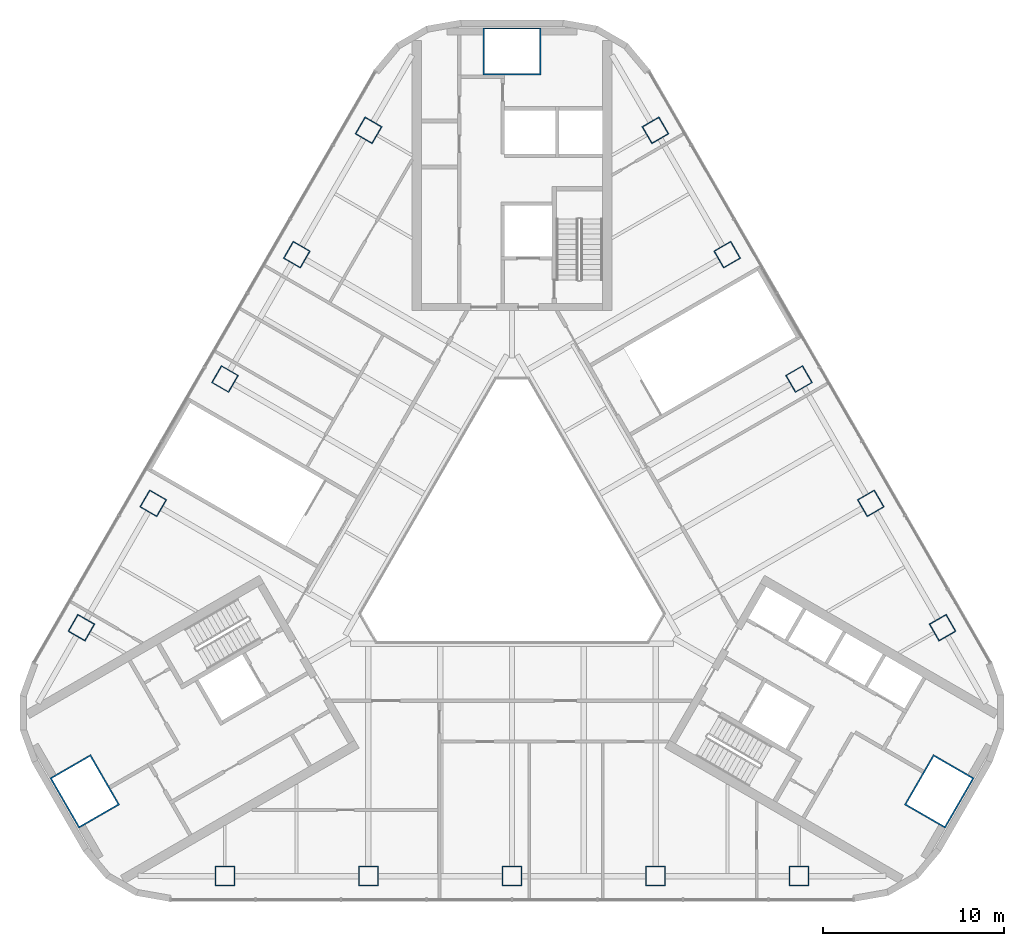
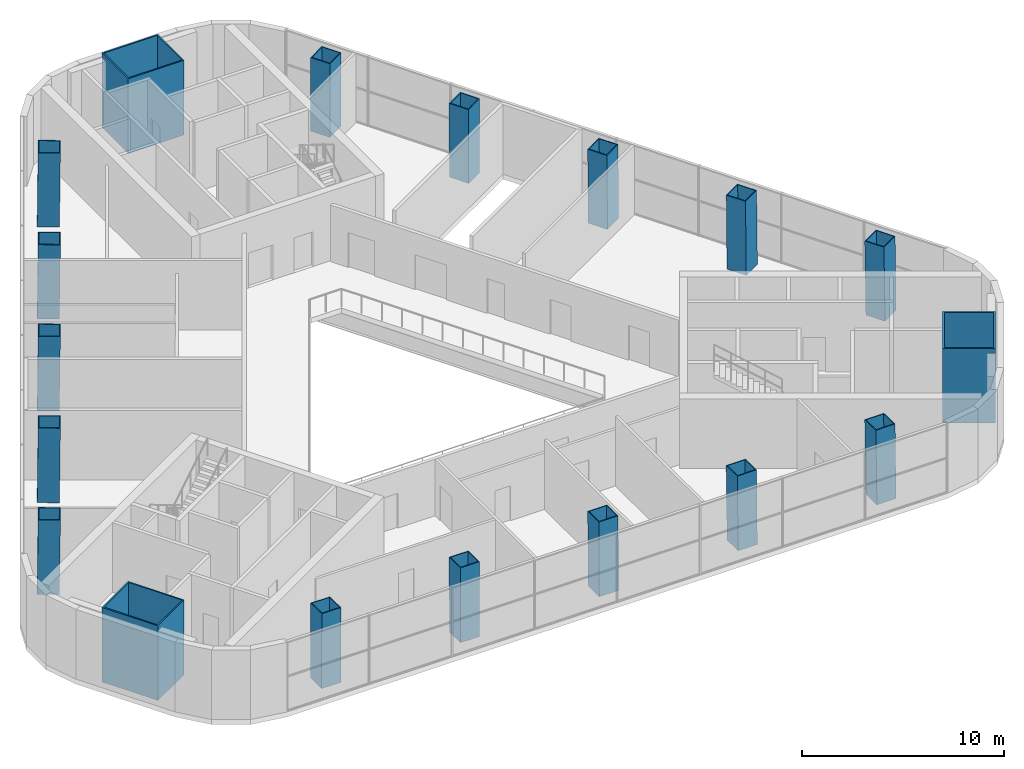
# One storey, part 1 of 12: 18 columns.
"""IFC4 building model written with IfcOpenShell, lengths in metres."""

from ifc_helpers import new_model, si_unit, direction, frame, origin, origin_2d, place, context, subcontext, project, spatial, rectangle, hollow_rectangle, extrude, boolean, halfspace, material, material_profile, profile_set, type_object, element, save


model = new_model("IFC4")

# Units and contexts
model_context = context("Model", 3, precision=1e-05, world=origin(), true_north=direction((0.0, 1.0)))
body_context = subcontext(model_context, "Body", "Model", "MODEL_VIEW")
ifc_project = project(units=[si_unit("LENGTHUNIT", "METRE"), si_unit("AREAUNIT", "SQUARE_METRE"), si_unit("VOLUMEUNIT", "CUBIC_METRE"), si_unit("PLANEANGLEUNIT", "RADIAN"), si_unit("MASSUNIT", "GRAM", prefix="KILO")], contexts=[model_context])

# Site, building, storey
site_placement = place(None, origin())
site = spatial("IfcSite", under=ifc_project, at=site_placement, CompositionType="ELEMENT")
building_placement = place(site_placement, origin())
building = spatial("IfcBuilding", under=site, at=building_placement, Name="Apuvela Tower Hotel", CompositionType="ELEMENT")
storey_placement = place(building_placement, frame((0.0, 0.0, 33.0)))
storey = spatial("IfcBuildingStorey", under=building, at=storey_placement, Name="L05", CompositionType="ELEMENT", Elevation=33.0)

# Columns
ifc_material_1 = material(Name="Steel S460", Category="steel")
ifc_material_profile_1 = material_profile(ifc_material_1, hollow_rectangle(XDim=3.199951171875, YDim=2.60009765625, WallThickness=0.080078125, at=origin_2d()), Name="BOX 3200x2600x80")
ifc_material_2 = material(Name="Concrete C80/95", Category="concrete")
ifc_material_profile_2 = material_profile(ifc_material_2, rectangle(XDim=3.0400390625, YDim=2.43994140625, at=origin_2d()), Name="Concrete C80/95 infill")
ifc_profile_set_1 = profile_set([ifc_material_profile_1, ifc_material_profile_2], Name="Steel S460")
column_type_1 = type_object("IfcColumnType", Name="STR-MC mega column BOX 3200x2600x80", PredefinedType="COLUMN", material=ifc_profile_set_1)
for number, where, z_axis, x_axis, name in (
    (1, (0.0, 27.199951171875, 0.0), (0.0, 0.0, 1.0), (1.0, 0.0, 0.0), "Mega column MC1 N"),
    (2, (-23.555908203125, -13.60009765625, 0.0), (0.0, 0.0, 1.0), (-0.5, 0.866025403784, 0.0), "Mega column MC1 SW"),
    (3, (23.555908203125, -13.60009765625, 0.0), (0.0, 0.0, 1.0), (0.5, 0.866025403784, 0.0), "Mega column MC1 SE"),
):
    element("IfcColumn", number, at=place(storey_placement, frame(where, z_axis=z_axis, x_axis=x_axis)), inside=storey, type_object=column_type_1, Name=name, PredefinedType="COLUMN", context=body_context, shape_type="SweptSolid", body=[
        extrude(hollow_rectangle(XDim=3.199951171875, YDim=2.60009765625, WallThickness=0.080078125, at=origin_2d()), origin(), (0.0, 0.0, 1.0), 4.5),
    ])
ifc_material_profile_3 = material_profile(ifc_material_1, hollow_rectangle(XDim=1.10009765625, YDim=1.10009765625, WallThickness=0.050048828125, at=origin_2d()), Name="BOX 1100x1100x50")
ifc_material_profile_4 = material_profile(ifc_material_2, rectangle(XDim=1.0, YDim=1.0, at=origin_2d()), Name="Concrete C80/95 infill")
ifc_profile_set_2 = profile_set([ifc_material_profile_3, ifc_material_profile_4], Name="Steel S460")
column_type_2 = type_object("IfcColumnType", Name="STR-PC perimeter column BOX 1100x1100x50", PredefinedType="COLUMN", material=ifc_profile_set_2)
column_1_placement = place(storey_placement, frame((-15.837158203125, -18.276123046875, 0.0), z_axis=(0.008245813936, 0.010253018645, 0.999913437334), x_axis=(-0.999965935277, -0.000282647683, 0.008249145105)))
element("IfcColumn", 4, at=column_1_placement, inside=storey, type_object=column_type_2, Name="Perimeter column C1 S1", PredefinedType="COLUMN", context=body_context, shape_type="SweptSolid", body=[
    boolean("DIFFERENCE", boolean("DIFFERENCE", extrude(hollow_rectangle(XDim=1.10009765625, YDim=1.10009765625, WallThickness=0.050048828125, at=origin_2d()), origin(), (0.0, 0.0, 1.0), 4.50048828125), halfspace(frame((0.0, 0.0, 0.01220703125), z_axis=(0.0, 0.0, 1.0), x_axis=(1.0, 0.0, 0.0)), True)), halfspace(frame((0.0, 0.0, 4.493408203125), z_axis=(0.0, 0.0, 1.0), x_axis=(1.0, 0.0, 0.0)), False)),
])
column_2_placement = place(storey_placement, frame((-7.91845703125, -18.276123046875, 0.0), z_axis=(0.004123012096, 0.010253280081, 0.999938933645), x_axis=(-0.999991272744, 0.000716936113, 0.004115876508)))
element("IfcColumn", 5, at=column_2_placement, inside=storey, type_object=column_type_2, Name="Perimeter column C1 S2", PredefinedType="COLUMN", context=body_context, shape_type="SweptSolid", body=[
    boolean("DIFFERENCE", boolean("DIFFERENCE", extrude(hollow_rectangle(XDim=1.10009765625, YDim=1.10009765625, WallThickness=0.050048828125, at=origin_2d()), origin(), (0.0, 0.0, 1.0), 4.500244140625), halfspace(frame((0.0, 0.0, 0.010498046875), z_axis=(0.0, 0.0, 1.0), x_axis=(1.0, 0.0, 0.0)), True)), halfspace(frame((0.0, 0.0, 4.493896484375), z_axis=(0.0, 0.0, 1.0), x_axis=(1.0, 0.0, 0.0)), False)),
])
column_3_placement = place(storey_placement, frame((0.0, -18.276123046875, 0.0), z_axis=(0.0, 0.010253367231, 0.999947432849), x_axis=(-1.0, 0.0, 0.0)))
element("IfcColumn", 6, at=column_3_placement, inside=storey, type_object=column_type_2, Name="Perimeter column C1 S3", PredefinedType="COLUMN", context=body_context, shape_type="SweptSolid", body=[
    boolean("DIFFERENCE", boolean("DIFFERENCE", extrude(hollow_rectangle(XDim=1.10009765625, YDim=1.10009765625, WallThickness=0.050048828125, at=origin_2d()), origin(), (0.0, 0.0, 1.0), 4.500244140625), halfspace(frame((0.0, 0.0, 0.010009765625), z_axis=(0.0, 0.0, 1.0), x_axis=(1.0, 0.0, 0.0)), True)), halfspace(frame((0.0, 0.0, 4.494140625), z_axis=(0.0, 0.0, 1.0), x_axis=(1.0, 0.0, 0.0)), False)),
])
column_4_placement = place(storey_placement, frame((7.91845703125, -18.276123046875, 0.0), z_axis=(-0.004123012096, 0.010253280081, 0.999938933645), x_axis=(0.999991272744, 0.000716936113, 0.004115876508)))
element("IfcColumn", 7, at=column_4_placement, inside=storey, type_object=column_type_2, Name="Perimeter column C1 S4", PredefinedType="COLUMN", context=body_context, shape_type="SweptSolid", body=[
    boolean("DIFFERENCE", boolean("DIFFERENCE", extrude(hollow_rectangle(XDim=1.10009765625, YDim=1.10009765625, WallThickness=0.050048828125, at=origin_2d()), origin(), (0.0, 0.0, 1.0), 4.500244140625), halfspace(frame((0.0, 0.0, 0.010498046875), z_axis=(0.0, 0.0, 1.0), x_axis=(1.0, 0.0, 0.0)), True)), halfspace(frame((0.0, 0.0, 4.493896484375), z_axis=(0.0, 0.0, 1.0), x_axis=(1.0, 0.0, 0.0)), False)),
])
for number, where, z_axis, x_axis, name in (
    (8, (15.837158203125, -18.276123046875, 0.0), (-0.008245813936, 0.010253018645, 0.999913437334), (0.999965935277, -0.000282647683, 0.008249145105), "Perimeter column C1 S5"),
    (9, (23.74609375, -4.577392578125, 0.0), (-0.01301970202, 0.00206145282, 0.999913115111), (0.497599356322, -0.867367587298, 0.008267351011), "Perimeter column C1 NE1"),
):
    element("IfcColumn", number, at=place(storey_placement, frame(where, z_axis=z_axis, x_axis=x_axis)), inside=storey, type_object=column_type_2, Name=name, PredefinedType="COLUMN", context=body_context, shape_type="SweptSolid", body=[
        boolean("DIFFERENCE", boolean("DIFFERENCE", extrude(hollow_rectangle(XDim=1.10009765625, YDim=1.10009765625, WallThickness=0.050048828125, at=origin_2d()), origin(), (0.0, 0.0, 1.0), 4.50048828125), halfspace(frame((0.0, 0.0, 0.01220703125), z_axis=(0.0, 0.0, 1.0), x_axis=(1.0, 0.0, 0.0)), True)), halfspace(frame((0.0, 0.0, 4.493408203125), z_axis=(0.0, 0.0, 1.0), x_axis=(1.0, 0.0, 0.0)), False)),
    ])
column_5_placement = place(storey_placement, frame((19.786865234375, 2.280517578125, 0.0), z_axis=(-0.010958529764, -0.001573254273, 0.99993871587), x_axis=(0.501077464826, -0.865392580649, 0.004129842831)))
element("IfcColumn", 10, at=column_5_placement, inside=storey, type_object=column_type_2, Name="Perimeter column C1 NE2", PredefinedType="COLUMN", context=body_context, shape_type="SweptSolid", body=[
    boolean("DIFFERENCE", boolean("DIFFERENCE", extrude(hollow_rectangle(XDim=1.10009765625, YDim=1.10009765625, WallThickness=0.050048828125, at=origin_2d()), origin(), (0.0, 0.0, 1.0), 4.500244140625), halfspace(frame((0.0, 0.0, 0.010498046875), z_axis=(0.0, 0.0, 1.0), x_axis=(1.0, 0.0, 0.0)), True)), halfspace(frame((0.0, 0.0, 4.493896484375), z_axis=(0.0, 0.0, 1.0), x_axis=(1.0, 0.0, 0.0)), False)),
])
column_6_placement = place(storey_placement, frame((15.827392578125, 9.137939453125, 0.0), z_axis=(-0.008842855216, -0.005099560677, 0.999947897839), x_axis=(0.500158591732, -0.865933821414, 6.948309e-06)))
element("IfcColumn", 11, at=column_6_placement, inside=storey, type_object=column_type_2, Name="Perimeter column C1 NE3", PredefinedType="COLUMN", context=body_context, shape_type="SweptSolid", body=[
    boolean("DIFFERENCE", boolean("DIFFERENCE", extrude(hollow_rectangle(XDim=1.10009765625, YDim=1.10009765625, WallThickness=0.050048828125, at=origin_2d()), origin(), (0.0, 0.0, 1.0), 4.500244140625), halfspace(frame((0.0, 0.0, 0.010009765625), z_axis=(0.0, 0.0, 1.0), x_axis=(1.0, 0.0, 0.0)), True)), halfspace(frame((0.0, 0.0, 4.494140625), z_axis=(0.0, 0.0, 1.0), x_axis=(1.0, 0.0, 0.0)), False)),
])
column_7_placement = place(storey_placement, frame((11.868408203125, 15.99560546875, 0.0), z_axis=(-0.006835520265, -0.008680025734, 0.999938964545), x_axis=(-0.498767584387, 0.866726006756, 0.004114119219)))
element("IfcColumn", 12, at=column_7_placement, inside=storey, type_object=column_type_2, Name="Perimeter column C1 NE4", PredefinedType="COLUMN", context=body_context, shape_type="SweptSolid", body=[
    boolean("DIFFERENCE", boolean("DIFFERENCE", extrude(hollow_rectangle(XDim=1.10009765625, YDim=1.10009765625, WallThickness=0.050048828125, at=origin_2d()), origin(), (0.0, 0.0, 1.0), 4.500244140625), halfspace(frame((0.0, 0.0, 0.010498046875), z_axis=(0.0, 0.0, 1.0), x_axis=(1.0, 0.0, 0.0)), True)), halfspace(frame((0.0, 0.0, 4.493896484375), z_axis=(0.0, 0.0, 1.0), x_axis=(1.0, 0.0, 0.0)), False)),
])
for number, where, z_axis, x_axis, name in (
    (13, (7.908935546875, 22.853515625, 0.0), (-0.004719641607, -0.012314467182, 0.999913035659), (-0.503343741395, 0.864046735596, 0.008265391899), "Perimeter column C1 NE5"),
    (14, (-7.908935546875, 22.853515625, 0.0), (0.004719641607, -0.012314467182, 0.999913035659), (0.503343741395, 0.864046735596, 0.008265391899), "Perimeter column C1 NW1"),
):
    element("IfcColumn", number, at=place(storey_placement, frame(where, z_axis=z_axis, x_axis=x_axis)), inside=storey, type_object=column_type_2, Name=name, PredefinedType="COLUMN", context=body_context, shape_type="SweptSolid", body=[
        boolean("DIFFERENCE", boolean("DIFFERENCE", extrude(hollow_rectangle(XDim=1.10009765625, YDim=1.10009765625, WallThickness=0.050048828125, at=origin_2d()), origin(), (0.0, 0.0, 1.0), 4.50048828125), halfspace(frame((0.0, 0.0, 0.01220703125), z_axis=(0.0, 0.0, 1.0), x_axis=(1.0, 0.0, 0.0)), True)), halfspace(frame((0.0, 0.0, 4.493408203125), z_axis=(0.0, 0.0, 1.0), x_axis=(1.0, 0.0, 0.0)), False)),
    ])
column_8_placement = place(storey_placement, frame((-11.868408203125, 15.99560546875, 0.0), z_axis=(0.006835520265, -0.008680025734, 0.999938964545), x_axis=(0.498767584387, 0.866726006756, 0.004114119219)))
element("IfcColumn", 15, at=column_8_placement, inside=storey, type_object=column_type_2, Name="Perimeter column C1 NW2", PredefinedType="COLUMN", context=body_context, shape_type="SweptSolid", body=[
    boolean("DIFFERENCE", boolean("DIFFERENCE", extrude(hollow_rectangle(XDim=1.10009765625, YDim=1.10009765625, WallThickness=0.050048828125, at=origin_2d()), origin(), (0.0, 0.0, 1.0), 4.500244140625), halfspace(frame((0.0, 0.0, 0.010498046875), z_axis=(0.0, 0.0, 1.0), x_axis=(1.0, 0.0, 0.0)), True)), halfspace(frame((0.0, 0.0, 4.493896484375), z_axis=(0.0, 0.0, 1.0), x_axis=(1.0, 0.0, 0.0)), False)),
])
column_9_placement = place(storey_placement, frame((-15.827392578125, 9.137939453125, 0.0), z_axis=(0.008842855216, -0.005099560677, 0.999947897839), x_axis=(-0.500158591732, -0.865933821414, 6.948309e-06)))
element("IfcColumn", 16, at=column_9_placement, inside=storey, type_object=column_type_2, Name="Perimeter column C1 NW3", PredefinedType="COLUMN", context=body_context, shape_type="SweptSolid", body=[
    boolean("DIFFERENCE", boolean("DIFFERENCE", extrude(hollow_rectangle(XDim=1.10009765625, YDim=1.10009765625, WallThickness=0.050048828125, at=origin_2d()), origin(), (0.0, 0.0, 1.0), 4.500244140625), halfspace(frame((0.0, 0.0, 0.010009765625), z_axis=(0.0, 0.0, 1.0), x_axis=(1.0, 0.0, 0.0)), True)), halfspace(frame((0.0, 0.0, 4.494140625), z_axis=(0.0, 0.0, 1.0), x_axis=(1.0, 0.0, 0.0)), False)),
])
column_10_placement = place(storey_placement, frame((-19.786865234375, 2.280517578125, 0.0), z_axis=(0.010958529764, -0.001573254273, 0.99993871587), x_axis=(-0.501077464826, -0.865392580649, 0.004129842831)))
element("IfcColumn", 17, at=column_10_placement, inside=storey, type_object=column_type_2, Name="Perimeter column C1 NW4", PredefinedType="COLUMN", context=body_context, shape_type="SweptSolid", body=[
    boolean("DIFFERENCE", boolean("DIFFERENCE", extrude(hollow_rectangle(XDim=1.10009765625, YDim=1.10009765625, WallThickness=0.050048828125, at=origin_2d()), origin(), (0.0, 0.0, 1.0), 4.500244140625), halfspace(frame((0.0, 0.0, 0.010498046875), z_axis=(0.0, 0.0, 1.0), x_axis=(1.0, 0.0, 0.0)), True)), halfspace(frame((0.0, 0.0, 4.493896484375), z_axis=(0.0, 0.0, 1.0), x_axis=(1.0, 0.0, 0.0)), False)),
])
column_11_placement = place(storey_placement, frame((-23.74609375, -4.577392578125, 0.0), z_axis=(0.01301970202, 0.00206145282, 0.999913115111), x_axis=(-0.497599356322, -0.867367587298, 0.008267351011)))
element("IfcColumn", 18, at=column_11_placement, inside=storey, type_object=column_type_2, Name="Perimeter column C1 NW5", PredefinedType="COLUMN", context=body_context, shape_type="SweptSolid", body=[
    boolean("DIFFERENCE", boolean("DIFFERENCE", extrude(hollow_rectangle(XDim=1.10009765625, YDim=1.10009765625, WallThickness=0.050048828125, at=origin_2d()), origin(), (0.0, 0.0, 1.0), 4.50048828125), halfspace(frame((0.0, 0.0, 0.01220703125), z_axis=(0.0, 0.0, 1.0), x_axis=(1.0, 0.0, 0.0)), True)), halfspace(frame((0.0, 0.0, 4.493408203125), z_axis=(0.0, 0.0, 1.0), x_axis=(1.0, 0.0, 0.0)), False)),
])

save(model, "model.ifc")
